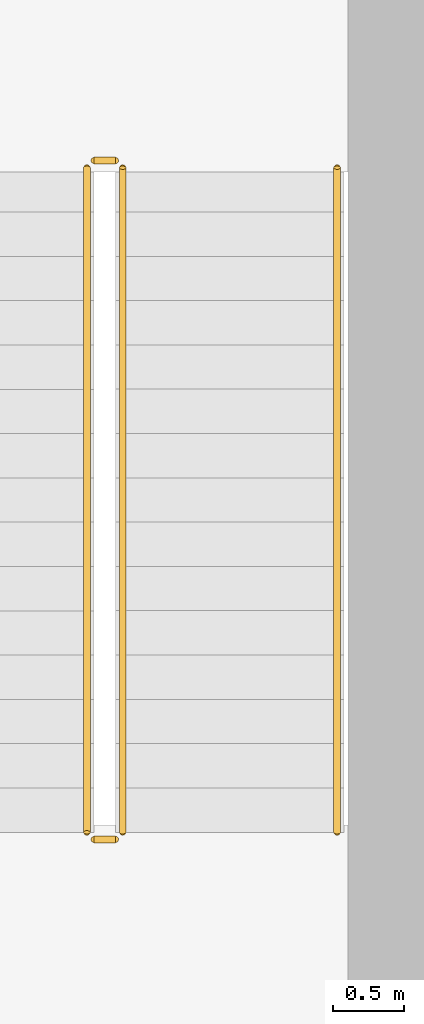
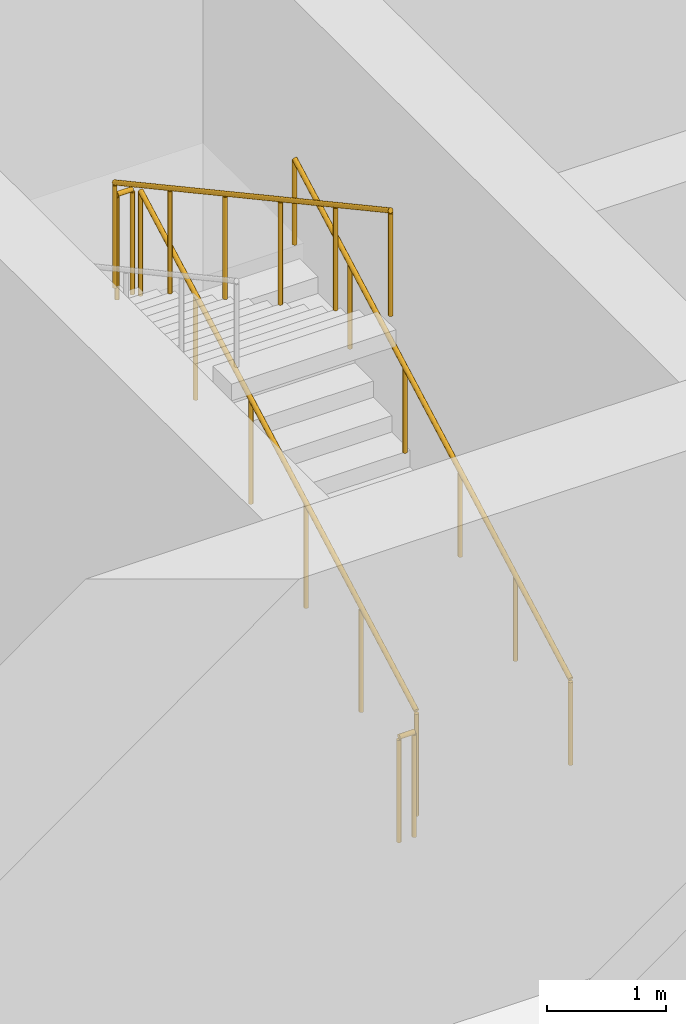
# One storey, part 24 of 30: 5 railings.
"""IFC4 building model written with IfcOpenShell, lengths in metres."""

import ifcopenshell
import ifcopenshell.guid

model = None  # the IFC model being written
_history = None  # IfcOwnerHistory: only IFC2X3 demands one
_inside = {}  # id of a spatial element -> (the spatial element, [elements in it])
_under = {}  # id of a project, library or spatial element -> (it, [spatial elements below it])
_declared = {}  # id of a project -> (the project, [libraries it declares])
_typed = {}  # id of a type object -> (the type object, [elements of that type])
_made_of = {}  # id of a material, layer set ... -> (it, [elements and type objects made of it])


def new_model(schema):
    """Start an empty IFC model of exactly this schema.

    Asked for "IFC4X3", IfcOpenShell would pick the latest addendum, in which some entities
    have other attributes; the version numbers below select the first issue.
    IFC2X3 requires an IfcOwnerHistory on every rooted entity: one is made here for all.
    """
    global model, _history
    if schema == "IFC4X3":
        model = ifcopenshell.file(schema_version=(4, 3, 0, 0))
    else:
        model = ifcopenshell.file(schema=schema)
    _inside.clear()
    _under.clear()
    _declared.clear()
    _typed.clear()
    _made_of.clear()
    _history = None
    if model.schema == "IFC2X3":
        org = make("IfcOrganization", Name="unknown")
        user = make(
            "IfcPersonAndOrganization",
            ThePerson=make("IfcPerson", FamilyName="unknown"),
            TheOrganization=org,
        )
        app = make(
            "IfcApplication",
            ApplicationDeveloper=org,
            Version="unknown",
            ApplicationFullName="unknown",
            ApplicationIdentifier="unknown",
        )
        _history = make(
            "IfcOwnerHistory",
            OwningUser=user,
            OwningApplication=app,
            ChangeAction="ADDED",
            CreationDate=0,
        )
    return model


def make(cls, **values):
    """One entity of the class cls with the attributes given. An attribute that is None is left unset."""
    return model.create_entity(
        cls, **{name: value for name, value in values.items() if value is not None}
    )


def rooted(cls, **values):
    """An entity with a GlobalId (a new one), such as an element, a storey or a relation."""
    return make(cls, GlobalId=ifcopenshell.guid.new(), OwnerHistory=_history, **values)


def si_unit(unit_type, name, prefix=None):
    """IfcSIUnit, for example si_unit("LENGTHUNIT", "METRE", prefix="MILLI")."""
    return make("IfcSIUnit", UnitType=unit_type, Prefix=prefix, Name=name)


def assignment(units):
    """IfcUnitAssignment: the units of a project."""
    return None if units is None else make("IfcUnitAssignment", Units=units)


def point(xyz):
    """IfcCartesianPoint."""
    return None if xyz is None else make("IfcCartesianPoint", Coordinates=xyz)


def direction(xyz):
    """IfcDirection."""
    return None if xyz is None else make("IfcDirection", DirectionRatios=xyz)


def frame(location, z_axis=None, x_axis=None):
    """IfcAxis2Placement3D, a coordinate frame: its origin and axes. An axis left out is left unset."""
    return make(
        "IfcAxis2Placement3D",
        Location=point(location),
        Axis=direction(z_axis),
        RefDirection=direction(x_axis),
    )


def frame_2d(location, x_axis=None):
    """IfcAxis2Placement2D, a coordinate frame in the plane: its origin and x axis."""
    return make(
        "IfcAxis2Placement2D", Location=point(location), RefDirection=direction(x_axis)
    )


def origin():
    """The frame at (0, 0, 0) with its axes left unset."""
    return frame((0.0, 0.0, 0.0))


def origin_2d():
    """The frame at (0, 0) in the plane with its x axis left unset."""
    return frame_2d((0.0, 0.0))


def place(relative_to, where):
    """IfcLocalPlacement: puts the frame where relative to a parent placement (None: the world)."""
    return make(
        "IfcLocalPlacement", PlacementRelTo=relative_to, RelativePlacement=where
    )


def context(
    kind, dimensions, precision=None, world=None, true_north=None, identifier=None
):
    """IfcGeometricRepresentationContext, for example the 3D "Model" context."""
    return make(
        "IfcGeometricRepresentationContext",
        ContextIdentifier=identifier,
        ContextType=kind,
        CoordinateSpaceDimension=dimensions,
        Precision=precision,
        WorldCoordinateSystem=world,
        TrueNorth=true_north,
    )


def subcontext(parent, identifier, kind, view, scale=None):
    """IfcGeometricRepresentationSubContext, for example "Body" below "Model"."""
    return make(
        "IfcGeometricRepresentationSubContext",
        ContextIdentifier=identifier,
        ContextType=kind,
        ParentContext=parent,
        TargetScale=scale,
        TargetView=view,
    )


def project(units=None, contexts=None):
    """IfcProject with its units and contexts."""
    return rooted(
        "IfcProject",
        Name="project",
        RepresentationContexts=contexts,
        UnitsInContext=assignment(units),
    )


def spatial(cls, under=None, at=None, **own):
    """A site, building, storey or space (cls), placed at a placement, below another one or the project."""
    s = rooted(cls, ObjectPlacement=at, **own)
    if under is not None:
        _under.setdefault(under.id(), (under, []))[1].append(s)
    return s


def profile(cls, at=None, kind="AREA", **sizes):
    """A parametric profile (cls). Its sizes go by their IFC names, for example OverallWidth=200.0."""
    return make(cls, ProfileType=kind, Position=at, **sizes)


def circle(**sizes):
    """IfcCircleProfileDef."""
    return profile("IfcCircleProfileDef", **sizes)


def extrude(swept, where, along, depth):
    """IfcExtrudedAreaSolid: the profile swept, set in the frame where, extruded along a direction by depth."""
    return make(
        "IfcExtrudedAreaSolid",
        SweptArea=swept,
        Position=where,
        ExtrudedDirection=direction(along),
        Depth=depth,
    )


def shape(context_of_items, identifier, shape_type, items):
    """IfcShapeRepresentation: the items that make up one representation, for example the "Body"."""
    return make(
        "IfcShapeRepresentation",
        ContextOfItems=context_of_items,
        RepresentationIdentifier=identifier,
        RepresentationType=shape_type,
        Items=items,
    )


def material(Name=None, Category=None):
    """IfcMaterial."""
    return make("IfcMaterial", Name=Name, Category=Category)


def made_of(thing, what):
    """Note that an element or type object is made of a material, layer set ...; save() writes the relation."""
    if what is not None:
        _made_of.setdefault(what.id(), (what, []))[1].append(thing)
    return thing


def type_object(cls, material=None, **own):
    """A type object (cls), such as IfcWallType, which elements share."""
    return made_of(rooted(cls, **own), material)


def element(
    cls,
    number,
    at=None,
    inside=None,
    cuts=None,
    type_object=None,
    material=None,
    context=None,
    identifier="Body",
    shape_type=None,
    held_by="IfcProductDefinitionShape",
    body=None,
    shapes=None,
    **own,
):
    """One element of the class cls, such as IfcWall. Its Tag is "e" and its number.

    at: its placement. inside: the storey or other place that contains it. cuts: it is an
    opening in that element (IfcRelVoidsElement). A single representation is given by context,
    identifier, shape_type and body (its items); several are given by shapes. held_by: the class
    of the entity that holds the representations. save() writes the other relations.
    """
    e = rooted(cls, Tag="e%d" % number, ObjectPlacement=at, **own)
    if body is not None:
        shapes = [shape(context, identifier, shape_type, body)]
    if shapes is not None:
        e.Representation = make(held_by, Representations=shapes)
    if inside is not None:
        _inside.setdefault(inside.id(), (inside, []))[1].append(e)
    if cuts is not None:
        rooted(
            "IfcRelVoidsElement", RelatingBuildingElement=cuts, RelatedOpeningElement=e
        )
    if type_object is not None:
        _typed.setdefault(type_object.id(), (type_object, []))[1].append(e)
    return made_of(e, material)


def aggregate(whole, parts):
    """IfcRelAggregates: a whole, such as a stair, and the parts it consists of."""
    return rooted("IfcRelAggregates", RelatingObject=whole, RelatedObjects=parts)


def save(model, path):
    """Write the relations noted so far, then the file.

    IfcRelAggregates (storeys below a building ...), IfcRelContainedInSpatialStructure (elements
    in a storey), IfcRelDefinesByType, IfcRelAssociatesMaterial and IfcRelDeclares: one each for
    every whole, place, type object, material and project.
    """
    for whole, parts in _under.values():
        aggregate(whole, parts)
    for where, things in _inside.values():
        rooted(
            "IfcRelContainedInSpatialStructure",
            RelatedElements=things,
            RelatingStructure=where,
        )
    for kind, things in _typed.values():
        rooted("IfcRelDefinesByType", RelatedObjects=things, RelatingType=kind)
    for what, things in _made_of.values():
        rooted("IfcRelAssociatesMaterial", RelatedObjects=things, RelatingMaterial=what)
    for by, libraries in _declared.values():
        rooted("IfcRelDeclares", RelatingContext=by, RelatedDefinitions=libraries)
    model.write(path)


model = new_model("IFC4")

# Units and contexts
model_context = context("Model", 3, precision=1e-05, world=origin(), true_north=direction((0.0, 1.0)))
body_context = subcontext(model_context, "Body", "Model", "MODEL_VIEW")
ifc_project = project(units=[si_unit("LENGTHUNIT", "METRE"), si_unit("AREAUNIT", "SQUARE_METRE"), si_unit("VOLUMEUNIT", "CUBIC_METRE"), si_unit("PLANEANGLEUNIT", "RADIAN"), si_unit("MASSUNIT", "GRAM", prefix="KILO")], contexts=[model_context])

# Site, building, storey
site_placement = place(None, origin())
site = spatial("IfcSite", under=ifc_project, at=site_placement, CompositionType="ELEMENT")
building_placement = place(site_placement, origin())
building = spatial("IfcBuilding", under=site, at=building_placement, Name="Madar Terraces", CompositionType="ELEMENT")
storey_placement = place(building_placement, frame((0.0, 0.0, 53.89990234375)))
storey = spatial("IfcBuildingStorey", under=building, at=storey_placement, Name="L13", CompositionType="ELEMENT", Elevation=53.89990234375)

# Railings
ifc_material_1 = material(Name="Stainless steel railing", Category="steel")
railing_type_1 = type_object("IfcRailingType", Name="Stair guard 1100", PredefinedType="GUARDRAIL", material=ifc_material_1)
railing_1_placement = place(storey_placement, frame((21.199951171875, 17.60009765625, 0.1689453125)))
element("IfcRailing", 1, at=railing_1_placement, inside=storey, type_object=railing_type_1, Name="L13 ST1 stair guard 1", PredefinedType="GUARDRAIL", context=body_context, shape_type="SweptSolid", body=[
    extrude(circle(Radius=0.02392578125, at=origin_2d()), frame((0.0, 0.0, 1.076171875), z_axis=(0.0, 0.878297076953, 0.478115304728), x_axis=(-1.0, 0.0, 0.0)), (0.0, 0.0, 1.0), 5.294189453125),
    extrude(circle(Radius=0.02099609375, at=origin_2d()), origin(), (0.0, 0.0, 1.0), 1.052001953125),
    extrude(circle(Radius=0.02099609375, at=origin_2d()), frame((0.0, 0.929931640625, 0.50634765625)), (0.0, 0.0, 1.0), 1.052001953125),
    extrude(circle(Radius=0.02099609375, at=origin_2d()), frame((0.0, 1.85986328125, 1.012451171875)), (0.0, 0.0, 1.0), 1.052001953125),
    extrude(circle(Radius=0.02099609375, at=origin_2d()), frame((0.0, 2.7900390625, 1.518798828125)), (0.0, 0.0, 1.0), 1.052001953125),
    extrude(circle(Radius=0.02099609375, at=origin_2d()), frame((0.0, 3.719970703125, 2.02490234375)), (0.0, 0.0, 1.0), 1.052001953125),
    extrude(circle(Radius=0.02099609375, at=origin_2d()), frame((0.0, 4.64990234375, 2.53125)), (0.0, 0.0, 1.0), 1.052001953125),
])
railing_2_placement = place(storey_placement, frame((21.14990234375, 22.300048828125, 2.7001953125)))
element("IfcRailing", 2, at=railing_2_placement, inside=storey, type_object=railing_type_1, Name="L13 ST1 stair guard 2", PredefinedType="GUARDRAIL", context=body_context, shape_type="SweptSolid", body=[
    extrude(circle(Radius=0.02392578125, at=origin_2d()), frame((0.0, 0.0, 1.076171875), z_axis=(-1.0, 0.0, 0.0), x_axis=(0.0, -1.0, 0.0)), (0.0, 0.0, 1.0), 0.14990234375),
    extrude(circle(Radius=0.02099609375, at=origin_2d()), origin(), (0.0, 0.0, 1.0), 1.052001953125),
    extrude(circle(Radius=0.02099609375, at=origin_2d()), frame((-0.14990234375, 0.0, 0.0)), (0.0, 0.0, 1.0), 1.052001953125),
])
railing_3_placement = place(storey_placement, frame((20.949951171875, 22.25, 2.868896484375)))
element("IfcRailing", 3, at=railing_3_placement, inside=storey, type_object=railing_type_1, Name="L13 ST1 stair guard 3", PredefinedType="GUARDRAIL", context=body_context, shape_type="SweptSolid", body=[
    extrude(circle(Radius=0.02392578125, at=origin_2d()), frame((0.0, 0.0, 1.076171875), z_axis=(0.0, -0.878297076953, 0.478115304728), x_axis=(1.0, 0.0, 0.0)), (0.0, 0.0, 1.0), 5.294189453125),
    extrude(circle(Radius=0.02099609375, at=origin_2d()), origin(), (0.0, 0.0, 1.0), 1.052001953125),
    extrude(circle(Radius=0.02099609375, at=origin_2d()), frame((0.0, -0.929931640625, 0.50634765625)), (0.0, 0.0, 1.0), 1.052001953125),
    extrude(circle(Radius=0.02099609375, at=origin_2d()), frame((0.0, -1.85986328125, 1.012451171875)), (0.0, 0.0, 1.0), 1.052001953125),
    extrude(circle(Radius=0.02099609375, at=origin_2d()), frame((0.0, -2.7900390625, 1.518798828125)), (0.0, 0.0, 1.0), 1.052001953125),
    extrude(circle(Radius=0.02099609375, at=origin_2d()), frame((0.0, -3.719970703125, 2.02490234375)), (0.0, 0.0, 1.0), 1.052001953125),
    extrude(circle(Radius=0.02099609375, at=origin_2d()), frame((0.0, -4.64990234375, 2.53125)), (0.0, 0.0, 1.0), 1.052001953125),
])
railing_4_placement = place(storey_placement, frame((21.14990234375, 17.550048828125, 0.0)))
element("IfcRailing", 4, at=railing_4_placement, inside=storey, type_object=railing_type_1, Name="L13 ST1 stair guard 4", PredefinedType="GUARDRAIL", context=body_context, shape_type="SweptSolid", body=[
    extrude(circle(Radius=0.02392578125, at=origin_2d()), frame((0.0, 0.0, 1.076171875), z_axis=(-1.0, 0.0, 0.0), x_axis=(0.0, -1.0, 0.0)), (0.0, 0.0, 1.0), 0.14990234375),
    extrude(circle(Radius=0.02099609375, at=origin_2d()), origin(), (0.0, 0.0, 1.0), 1.052001953125),
    extrude(circle(Radius=0.02099609375, at=origin_2d()), frame((-0.14990234375, 0.0, 0.0)), (0.0, 0.0, 1.0), 1.052001953125),
])
ifc_material_2 = material(Name="Stainless steel railing", Category="steel")
railing_type_2 = type_object("IfcRailingType", Name="Stair handrail 900", PredefinedType="HANDRAIL", material=ifc_material_2)
railing_5_placement = place(storey_placement, frame((22.699951171875, 17.60009765625, 0.1689453125)))
element("IfcRailing", 5, at=railing_5_placement, inside=storey, type_object=railing_type_2, Name="L13 ST1 stair handrail 1", PredefinedType="HANDRAIL", context=body_context, shape_type="SweptSolid", body=[
    extrude(circle(Radius=0.02392578125, at=origin_2d()), frame((0.0, 0.0, 0.8759765625), z_axis=(0.0, 0.878297076953, 0.478115304728), x_axis=(-1.0, 0.0, 0.0)), (0.0, 0.0, 1.0), 5.294189453125),
    extrude(circle(Radius=0.02099609375, at=origin_2d()), origin(), (0.0, 0.0, 1.0), 0.851806640625),
    extrude(circle(Radius=0.02099609375, at=origin_2d()), frame((0.0, 0.929931640625, 0.50634765625)), (0.0, 0.0, 1.0), 0.851806640625),
    extrude(circle(Radius=0.02099609375, at=origin_2d()), frame((0.0, 1.85986328125, 1.012451171875)), (0.0, 0.0, 1.0), 0.851806640625),
    extrude(circle(Radius=0.02099609375, at=origin_2d()), frame((0.0, 2.7900390625, 1.518798828125)), (0.0, 0.0, 1.0), 0.851806640625),
    extrude(circle(Radius=0.02099609375, at=origin_2d()), frame((0.0, 3.719970703125, 2.02490234375)), (0.0, 0.0, 1.0), 0.851806640625),
    extrude(circle(Radius=0.02099609375, at=origin_2d()), frame((0.0, 4.64990234375, 2.53125)), (0.0, 0.0, 1.0), 0.851806640625),
])

save(model, "model.ifc")
